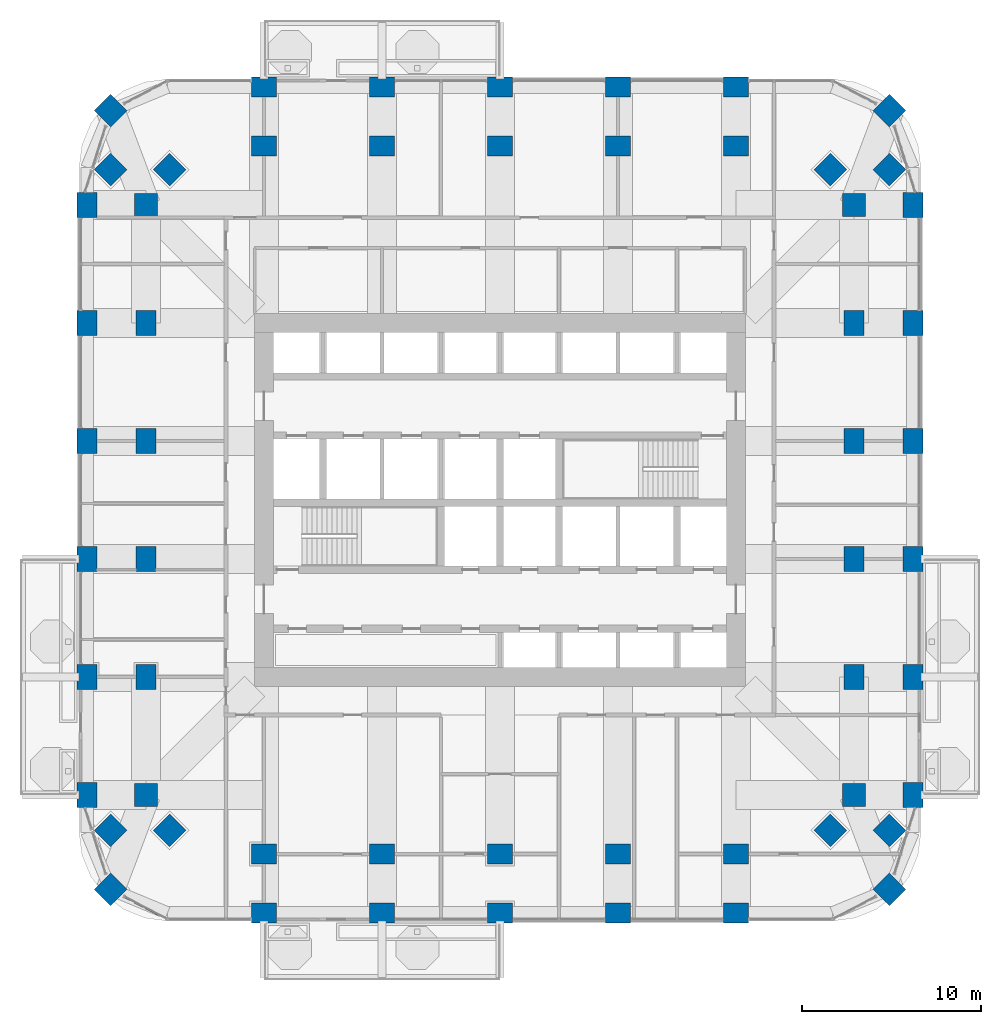
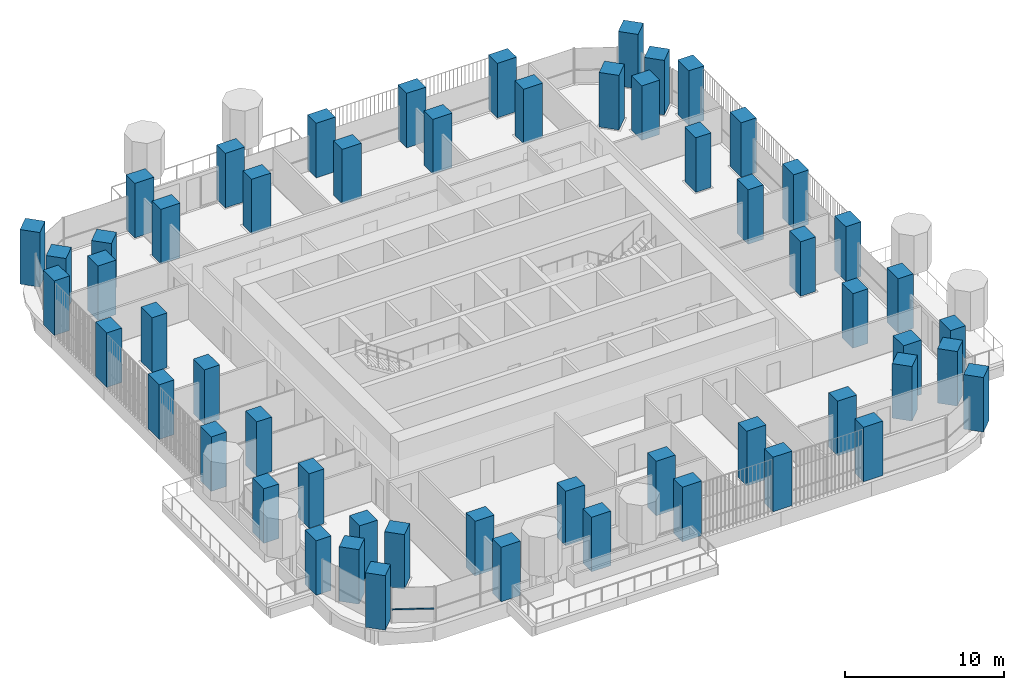
# One storey, part 1 of 21: 56 columns, 1 member, 1 element without a shape of its own.
"""IFC4 building model written with IfcOpenShell, lengths in metres."""

from ifc_helpers import new_model, si_unit, direction, frame, origin, origin_2d, place, context, subcontext, project, spatial, rectangle, extrude, material, material_profile, profile_set, type_object, element, aggregate, save


model = new_model("IFC4")

# Units and contexts
model_context = context("Model", 3, precision=1e-05, world=origin(), true_north=direction((0.0, 1.0)))
body_context = subcontext(model_context, "Body", "Model", "MODEL_VIEW")
ifc_project = project(units=[si_unit("LENGTHUNIT", "METRE"), si_unit("AREAUNIT", "SQUARE_METRE"), si_unit("VOLUMEUNIT", "CUBIC_METRE"), si_unit("PLANEANGLEUNIT", "RADIAN"), si_unit("MASSUNIT", "GRAM", prefix="KILO")], contexts=[model_context])

# Site, building, storey
site_placement = place(None, origin())
site = spatial("IfcSite", under=ifc_project, at=site_placement, CompositionType="ELEMENT")
building_placement = place(site_placement, origin())
building = spatial("IfcBuilding", under=site, at=building_placement, Name="Cobogo Forest Laboratory Tower", CompositionType="ELEMENT")
storey_placement = place(building_placement, frame((0.0, 0.0, 132.60009765625)))
storey = spatial("IfcBuildingStorey", under=building, at=storey_placement, Name="L30", CompositionType="ELEMENT", Elevation=132.60009765625)

# Columns
ifc_material_1 = material(Name="Concrete HA-50 (C50/60)", Category="concrete")
ifc_material_profile_1 = material_profile(ifc_material_1, rectangle(XDim=1.39990234375, YDim=1.10009765625, at=origin_2d()), Name="RC 1100x1400")
ifc_profile_set_1 = profile_set([ifc_material_profile_1], Name="Concrete HA-50 (C50/60)")
column_type_1 = type_object("IfcColumnType", Name="Blade column 1100x1400", PredefinedType="COLUMN", material=ifc_profile_set_1)
for number, where, z_axis, x_axis, name in (
    (1, (13.199951171875, 0.0, 0.0), (0.0, 0.0, 1.0), (1.0, 0.0, 0.0), "Column 3-A L30"),
    (2, (19.800048828125, 0.0, 0.0), (0.0, 0.0, 1.0), (1.0, 0.0, 0.0), "Column 4-A L30"),
    (3, (26.39990234375, 0.0, 0.0), (0.0, 0.0, 1.0), (1.0, 0.0, 0.0), "Column 5-A L30"),
    (4, (33.0, 0.0, 0.0), (0.0, 0.0, 1.0), (1.0, 0.0, 0.0), "Column 6-A L30"),
    (5, (39.60009765625, 0.0, 0.0), (0.0, 0.0, 1.0), (1.0, 0.0, 0.0), "Column 7-A L30"),
    (6, (3.300048828125, 6.60009765625, 0.0), (0.0, 0.0, 1.0), (0.0, 1.0, 0.0), "Column 1.1-B L30"),
    (7, (49.5, 6.60009765625, 0.0), (0.0, 0.0, 1.0), (0.0, 1.0, 0.0), "Column 8.1-B L30"),
    (8, (3.300048828125, 13.199951171875, 0.0), (0.0, 0.0, 1.0), (0.0, 1.0, 0.0), "Column 1.1-C L30"),
    (9, (49.5, 13.199951171875, 0.0), (0.0, 0.0, 1.0), (0.0, 1.0, 0.0), "Column 8.1-C L30"),
    (10, (3.300048828125, 19.800048828125, 0.0), (0.0, 0.0, 1.0), (0.0, 1.0, 0.0), "Column 1.1-D L30"),
    (11, (49.5, 19.800048828125, 0.0), (0.0, 0.0, 1.0), (0.0, 1.0, 0.0), "Column 8.1-D L30"),
    (12, (3.300048828125, 26.39990234375, 0.0), (0.0, 0.0, 1.0), (0.0, 1.0, 0.0), "Column 1.1-E L30"),
    (13, (49.5, 26.39990234375, 0.0), (0.0, 0.0, 1.0), (0.0, 1.0, 0.0), "Column 8.1-E L30"),
    (14, (3.300048828125, 33.0, 0.0), (0.0, 0.0, 1.0), (0.0, 1.0, 0.0), "Column 1.1-F L30"),
    (15, (49.5, 33.0, 0.0), (0.0, 0.0, 1.0), (0.0, 1.0, 0.0), "Column 8.1-F L30"),
    (16, (3.300048828125, 39.60009765625, 0.0), (0.0, 0.0, 1.0), (0.0, 1.0, 0.0), "Column 1.1-G L30"),
    (17, (49.5, 39.60009765625, 0.0), (0.0, 0.0, 1.0), (0.0, 1.0, 0.0), "Column 8.1-G L30"),
    (18, (13.199951171875, 46.199951171875, 0.0), (0.0, 0.0, 1.0), (1.0, 0.0, 0.0), "Column 3-H L30"),
    (19, (19.800048828125, 46.199951171875, 0.0), (0.0, 0.0, 1.0), (1.0, 0.0, 0.0), "Column 4-H L30"),
    (20, (26.39990234375, 46.199951171875, 0.0), (0.0, 0.0, 1.0), (1.0, 0.0, 0.0), "Column 5-H L30"),
    (21, (33.0, 46.199951171875, 0.0), (0.0, 0.0, 1.0), (1.0, 0.0, 0.0), "Column 6-H L30"),
    (22, (39.60009765625, 46.199951171875, 0.0), (0.0, 0.0, 1.0), (1.0, 0.0, 0.0), "Column 7-H L30"),
    (23, (13.199951171875, 3.300048828125, 0.0), (0.0, 0.0, 1.0), (1.0, 0.0, 0.0), "Column 3-A.1-C L30"),
    (24, (19.800048828125, 3.300048828125, 0.0), (0.0, 0.0, 1.0), (1.0, 0.0, 0.0), "Column 4-A.1-C L30"),
    (25, (26.39990234375, 3.300048828125, 0.0), (0.0, 0.0, 1.0), (1.0, 0.0, 0.0), "Column 5-A.1-C L30"),
    (26, (33.0, 3.300048828125, 0.0), (0.0, 0.0, 1.0), (1.0, 0.0, 0.0), "Column 6-A.1-C L30"),
    (27, (39.60009765625, 3.300048828125, 0.0), (0.0, 0.0, 1.0), (1.0, 0.0, 0.0), "Column 7-A.1-C L30"),
    (28, (13.199951171875, 42.89990234375, 0.0), (0.0, 0.0, 1.0), (1.0, 0.0, 0.0), "Column 3-G.1-C L30"),
    (29, (19.800048828125, 42.89990234375, 0.0), (0.0, 0.0, 1.0), (1.0, 0.0, 0.0), "Column 4-G.1-C L30"),
    (30, (26.39990234375, 42.89990234375, 0.0), (0.0, 0.0, 1.0), (1.0, 0.0, 0.0), "Column 5-G.1-C L30"),
    (31, (33.0, 42.89990234375, 0.0), (0.0, 0.0, 1.0), (1.0, 0.0, 0.0), "Column 6-G.1-C L30"),
    (32, (39.60009765625, 42.89990234375, 0.0), (0.0, 0.0, 1.0), (1.0, 0.0, 0.0), "Column 7-G.1-C L30"),
    (33, (6.60009765625, 13.199951171875, 0.0), (0.0, 0.0, 1.0), (0.0, 1.0, 0.0), "Column 2-C-D L30"),
    (34, (46.199951171875, 13.199951171875, 0.0), (0.0, 0.0, 1.0), (0.0, 1.0, 0.0), "Column 8-C-D L30"),
    (35, (6.60009765625, 19.800048828125, 0.0), (0.0, 0.0, 1.0), (0.0, 1.0, 0.0), "Column 2-D-D L30"),
    (36, (46.199951171875, 19.800048828125, 0.0), (0.0, 0.0, 1.0), (0.0, 1.0, 0.0), "Column 8-D-D L30"),
    (37, (6.60009765625, 26.39990234375, 0.0), (0.0, 0.0, 1.0), (0.0, 1.0, 0.0), "Column 2-E-D L30"),
    (38, (46.199951171875, 26.39990234375, 0.0), (0.0, 0.0, 1.0), (0.0, 1.0, 0.0), "Column 8-E-D L30"),
    (39, (6.60009765625, 33.0, 0.0), (0.0, 0.0, 1.0), (0.0, 1.0, 0.0), "Column 2-F-D L30"),
    (40, (46.199951171875, 33.0, 0.0), (0.0, 0.0, 1.0), (0.0, 1.0, 0.0), "Column 8-F-D L30"),
):
    element("IfcColumn", number, at=place(storey_placement, frame(where, z_axis=z_axis, x_axis=x_axis)), inside=storey, type_object=column_type_1, Name=name, PredefinedType="COLUMN", context=body_context, shape_type="SweptSolid", body=[
        extrude(rectangle(XDim=1.39990234375, YDim=1.10009765625, at=origin_2d()), origin(), (0.0, 0.0, 1.0), 4.199951171875),
    ])
ifc_material_profile_2 = material_profile(ifc_material_1, rectangle(XDim=1.300048828125, YDim=1.300048828125, at=origin_2d()), Name="RC 1300x1300")
ifc_profile_set_2 = profile_set([ifc_material_profile_2], Name="Concrete HA-50 (C50/60)")
column_type_2 = type_object("IfcColumnType", Name="Column 1300x1300", PredefinedType="COLUMN", material=ifc_profile_set_2)
for number, where, z_axis, x_axis, name in (
    (41, (4.617919921875, 1.318115234375, 0.0), (0.0, 0.0, 1.0), (0.707106781187, 0.707106781187, 0.0), "Column CNR-SW L30"),
    (42, (48.181884765625, 1.318115234375, 0.0), (0.0, 0.0, 1.0), (0.707106781187, 0.707106781187, 0.0), "Column CNR-SE L30"),
    (43, (4.617919921875, 44.882080078125, 0.0), (0.0, 0.0, 1.0), (0.707106781187, 0.707106781187, 0.0), "Column CNR-NW L30"),
    (44, (48.181884765625, 44.882080078125, 0.0), (0.0, 0.0, 1.0), (0.707106781187, 0.707106781187, 0.0), "Column CNR-NE L30"),
    (45, (6.60009765625, 6.60009765625, 0.0), (0.0, 0.0, 1.0), (1.0, 0.0, 0.0), "Column 2-B L30"),
    (46, (46.199951171875, 6.60009765625, 0.0), (0.0, 0.0, 1.0), (1.0, 0.0, 0.0), "Column 8-B L30"),
    (47, (6.60009765625, 39.60009765625, 0.0), (0.0, 0.0, 1.0), (1.0, 0.0, 0.0), "Column 2-G L30"),
    (48, (46.199951171875, 39.60009765625, 0.0), (0.0, 0.0, 1.0), (1.0, 0.0, 0.0), "Column 8-G L30"),
    (49, (4.617919921875, 4.617919921875, 0.0), (0.0, 0.0, 1.0), (0.707106781187, 0.707106781187, 0.0), "Column CNR-SW-C L30"),
    (50, (48.181884765625, 4.617919921875, 0.0), (0.0, 0.0, 1.0), (0.707106781187, 0.707106781187, 0.0), "Column CNR-SE-C L30"),
    (51, (4.617919921875, 41.58203125, 0.0), (0.0, 0.0, 1.0), (0.707106781187, 0.707106781187, 0.0), "Column CNR-NW-C L30"),
    (52, (48.181884765625, 41.58203125, 0.0), (0.0, 0.0, 1.0), (0.707106781187, 0.707106781187, 0.0), "Column CNR-NE-C L30"),
    (53, (7.91796875, 4.617919921875, 0.0), (0.0, 0.0, 1.0), (0.707106781187, 0.707106781187, 0.0), "Column CNR-SW-D L30"),
    (54, (44.882080078125, 4.617919921875, 0.0), (0.0, 0.0, 1.0), (0.707106781187, 0.707106781187, 0.0), "Column CNR-SE-D L30"),
    (55, (7.91796875, 41.58203125, 0.0), (0.0, 0.0, 1.0), (0.707106781187, 0.707106781187, 0.0), "Column CNR-NW-D L30"),
    (56, (44.882080078125, 41.58203125, 0.0), (0.0, 0.0, 1.0), (0.707106781187, 0.707106781187, 0.0), "Column CNR-NE-D L30"),
):
    element("IfcColumn", number, at=place(storey_placement, frame(where, z_axis=z_axis, x_axis=x_axis)), inside=storey, type_object=column_type_2, Name=name, PredefinedType="COLUMN", context=body_context, shape_type="SweptSolid", body=[
        extrude(rectangle(XDim=1.300048828125, YDim=1.300048828125, at=origin_2d()), origin(), (0.0, 0.0, 1.0), 4.199951171875),
    ])

# Curtain wall, member
ifc_material_2 = material(Name="Aluminium curtain wall", Category="aluminium")
curtain_wall_type = type_object("IfcCurtainWallType", Name="CW-1 unitised curtain wall, clear glazing, laboratory floors zones A and B", PredefinedType="USERDEFINED", material=ifc_material_2)
curtain_wall_placement = place(storey_placement, origin())
curtain_wall = element("IfcCurtainWall", 57, at=curtain_wall_placement, inside=storey, type_object=curtain_wall_type, Name="Curtain wall 34 L30", ObjectType="UNITISED CURTAIN WALL", PredefinedType="USERDEFINED")
ifc_material_3 = material(Name="Aluminium transom", Category="aluminium")
ifc_material_profile_3 = material_profile(ifc_material_3, rectangle(XDim=0.1201171875, YDim=0.06005859375, at=origin_2d()), Name="AL 60x120")
ifc_profile_set_3 = profile_set([ifc_material_profile_3], Name="Aluminium transom")
member_type = type_object("IfcMemberType", Name="TR-1 aluminium transom 60x120", PredefinedType="USERDEFINED", material=ifc_profile_set_3)
member_placement = place(storey_placement, frame((5.394775390625, 0.910888671875, 1.0498046875), z_axis=(0.885694740493, -0.464268054753, 0.0), x_axis=(0.464268054753, 0.885694740493, 0.0)))
member = element("IfcMember", 58, at=member_placement, type_object=member_type, Name="CW-1 transom 1.1", ObjectType="TRANSOM", PredefinedType="USERDEFINED", context=body_context, shape_type="SweptSolid", body=[
    extrude(rectangle(XDim=0.1201171875, YDim=0.06005859375, at=origin_2d()), origin(), (0.0, 0.0, 1.0), 2.655517578125),
])
aggregate(curtain_wall, [member])

save(model, "model.ifc")
